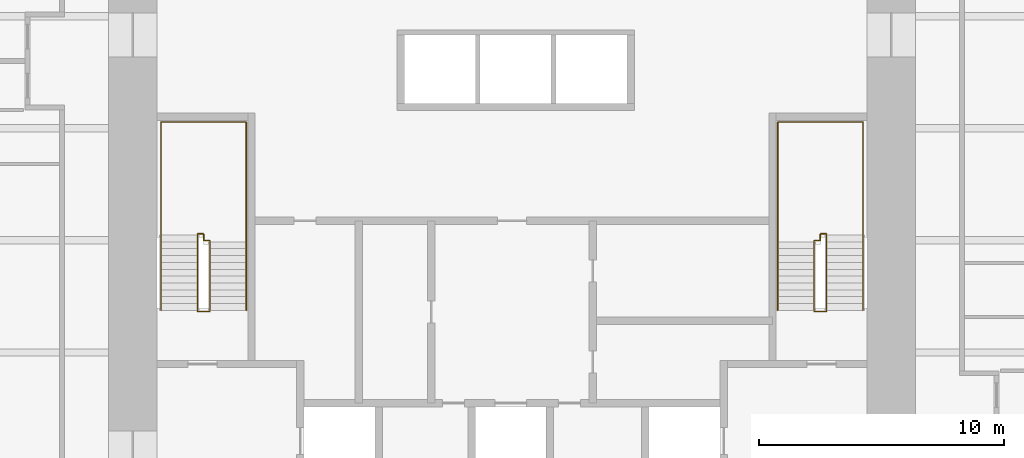
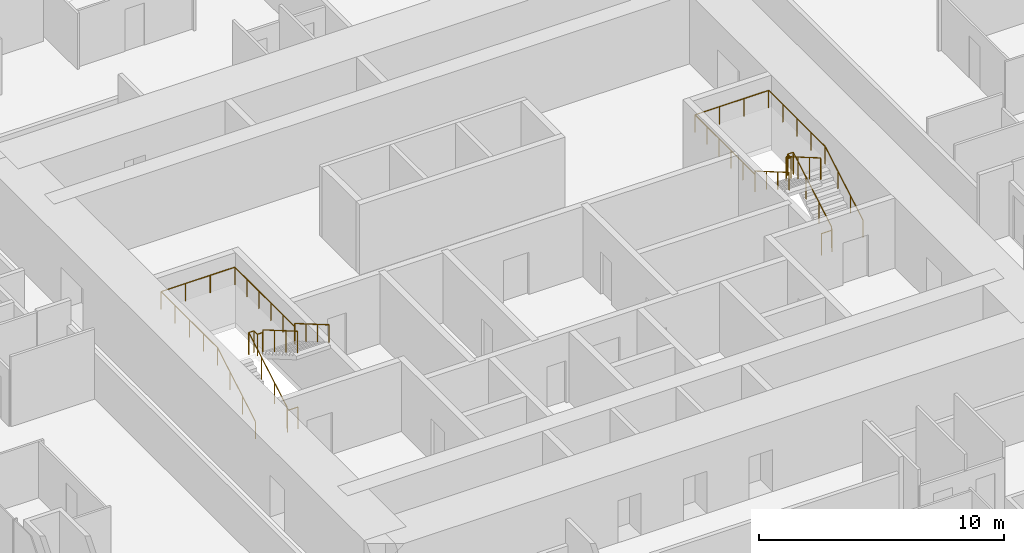
# One storey, part 11 of 11: 4 railings.
"""IFC4 building model written with IfcOpenShell, lengths in metres."""

from ifc_helpers import new_model, si_unit, direction, frame, origin, origin_2d, place, context, subcontext, project, spatial, circle, extrude, material, type_object, element, save


model = new_model("IFC4")

# Units and contexts
model_context = context("Model", 3, precision=1e-05, world=origin(), true_north=direction((0.0, 1.0)))
body_context = subcontext(model_context, "Body", "Model", "MODEL_VIEW")
ifc_project = project(units=[si_unit("LENGTHUNIT", "METRE"), si_unit("AREAUNIT", "SQUARE_METRE"), si_unit("VOLUMEUNIT", "CUBIC_METRE"), si_unit("PLANEANGLEUNIT", "RADIAN"), si_unit("MASSUNIT", "GRAM", prefix="KILO")], contexts=[model_context])

# Site, building, storey
site_placement = place(None, origin())
site = spatial("IfcSite", under=ifc_project, at=site_placement, CompositionType="ELEMENT")
building_placement = place(site_placement, origin())
building = spatial("IfcBuilding", under=site, at=building_placement, Name="Khuree Lantern Residences", CompositionType="ELEMENT")
storey_placement = place(building_placement, frame((0.0, 0.0, 174.75)))
storey = spatial("IfcBuildingStorey", under=building, at=storey_placement, Name="L44", CompositionType="ELEMENT", Elevation=174.75)

# Railings
ifc_material = material(Name="Steel S355", Category="steel")
railing_type_1 = type_object("IfcRailingType", Name="STAIR GUARD G1 1100", PredefinedType="GUARDRAIL", material=ifc_material)
railing_1_placement = place(storey_placement, frame((-12.35009765625, -2.909912109375, 0.0)))
element("IfcRailing", 1, at=railing_1_placement, inside=storey, type_object=railing_type_1, Name="Stair ST1 guard", PredefinedType="GUARDRAIL", context=body_context, shape_type="SweptSolid", body=[
    extrude(circle(Radius=0.02392578125, at=origin_2d()), frame((0.0, 0.0, 1.076171875), z_axis=(-1.0, 0.0, 0.0), x_axis=(0.0, -1.0, 0.0)), (0.0, 0.0, 1.0), 0.5),
    extrude(circle(Radius=0.02392578125, at=origin_2d()), frame((-0.5, 0.0, 1.076171875), z_axis=(0.0, 0.292073035251, 0.95639601739), x_axis=(-1.0, 0.0, 0.0)), (0.0, 0.0, 1.0), 0.17041015625),
    extrude(circle(Radius=0.02392578125, at=origin_2d()), frame((-0.5, 0.0498046875, 1.2392578125), z_axis=(0.0, 0.864176135923, 0.503189433615), x_axis=(-1.0, 0.0, 0.0)), (0.0, 0.0, 1.0), 3.564208984375),
    extrude(circle(Radius=0.02392578125, at=origin_2d()), frame((-0.5, 3.1298828125, 3.03271484375), z_axis=(0.0, 1.0, 0.0), x_axis=(-1.0, 0.0, 0.0)), (0.0, 0.0, 1.0), 0.050048828125),
    extrude(circle(Radius=0.02392578125, at=origin_2d()), frame((-0.5, 3.179931640625, 3.03271484375), z_axis=(1.0, 0.0, 0.0), x_axis=(0.0, 1.0, 0.0)), (0.0, 0.0, 1.0), 0.25),
    extrude(circle(Radius=0.02392578125, at=origin_2d()), frame((-0.25, 3.179931640625, 3.03271484375), z_axis=(0.0, -1.0, 0.0), x_axis=(1.0, 0.0, 0.0)), (0.0, 0.0, 1.0), 0.280029296875),
    extrude(circle(Radius=0.02392578125, at=origin_2d()), frame((-0.25, 2.89990234375, 3.03271484375), z_axis=(1.0, 0.0, 0.0), x_axis=(0.0, 1.0, 0.0)), (0.0, 0.0, 1.0), 0.25),
    extrude(circle(Radius=0.02392578125, at=origin_2d()), frame((0.0, 2.89990234375, 3.03271484375), z_axis=(0.0, -0.293381807449, 0.955995353053), x_axis=(1.0, 0.0, 0.0)), (0.0, 0.0, 1.0), 0.170654296875),
    extrude(circle(Radius=0.02392578125, at=origin_2d()), frame((0.0, 2.849853515625, 3.19580078125), z_axis=(0.0, -0.864180358799, 0.503182181189), x_axis=(1.0, 0.0, 0.0)), (0.0, 0.0, 1.0), 3.240234375),
    extrude(circle(Radius=0.02099609375, at=origin_2d()), origin(), (0.0, 0.0, 1.0), 1.052001953125),
    extrude(circle(Radius=0.02099609375, at=origin_2d()), frame((-0.5, 0.0, 0.0)), (0.0, 0.0, 1.0), 1.052001953125),
    extrude(circle(Radius=0.02099609375, at=origin_2d()), frame((-0.5, 0.0498046875, 0.1630859375)), (0.0, 0.0, 1.0), 1.052001953125),
    extrude(circle(Radius=0.02099609375, at=origin_2d()), frame((-0.5, 1.076416015625, 0.760986328125)), (0.0, 0.0, 1.0), 1.052001953125),
    extrude(circle(Radius=0.02099609375, at=origin_2d()), frame((-0.5, 2.103271484375, 1.358642578125)), (0.0, 0.0, 1.0), 1.052001953125),
    extrude(circle(Radius=0.02099609375, at=origin_2d()), frame((-0.5, 3.1298828125, 1.95654296875)), (0.0, 0.0, 1.0), 1.052001953125),
    extrude(circle(Radius=0.02099609375, at=origin_2d()), frame((-0.5, 3.179931640625, 1.95654296875)), (0.0, 0.0, 1.0), 1.052001953125),
    extrude(circle(Radius=0.02099609375, at=origin_2d()), frame((-0.25, 3.179931640625, 1.95654296875)), (0.0, 0.0, 1.0), 1.052001953125),
    extrude(circle(Radius=0.02099609375, at=origin_2d()), frame((-0.25, 2.89990234375, 1.95654296875)), (0.0, 0.0, 1.0), 1.052001953125),
    extrude(circle(Radius=0.02099609375, at=origin_2d()), frame((0.0, 2.89990234375, 1.95654296875)), (0.0, 0.0, 1.0), 1.052001953125),
    extrude(circle(Radius=0.02099609375, at=origin_2d()), frame((0.0, 2.849853515625, 2.11962890625)), (0.0, 0.0, 1.0), 1.052001953125),
    extrude(circle(Radius=0.02099609375, at=origin_2d()), frame((0.0, 1.91650390625, 2.6630859375)), (0.0, 0.0, 1.0), 1.052001953125),
    extrude(circle(Radius=0.02099609375, at=origin_2d()), frame((0.0, 0.983154296875, 3.20654296875)), (0.0, 0.0, 1.0), 1.052001953125),
    extrude(circle(Radius=0.02099609375, at=origin_2d()), frame((0.0, 0.0498046875, 3.75)), (0.0, 0.0, 1.0), 1.052001953125),
])
railing_2_placement = place(storey_placement, frame((12.35009765625, -2.909912109375, 0.0)))
element("IfcRailing", 2, at=railing_2_placement, inside=storey, type_object=railing_type_1, Name="Stair ST2 guard", PredefinedType="GUARDRAIL", context=body_context, shape_type="SweptSolid", body=[
    extrude(circle(Radius=0.02392578125, at=origin_2d()), frame((0.0, 0.0, 1.076171875), z_axis=(1.0, 0.0, 0.0), x_axis=(0.0, 1.0, 0.0)), (0.0, 0.0, 1.0), 0.5),
    extrude(circle(Radius=0.02392578125, at=origin_2d()), frame((0.5, 0.0, 1.076171875), z_axis=(0.0, 0.292073035251, 0.95639601739), x_axis=(-1.0, 0.0, 0.0)), (0.0, 0.0, 1.0), 0.17041015625),
    extrude(circle(Radius=0.02392578125, at=origin_2d()), frame((0.5, 0.0498046875, 1.2392578125), z_axis=(0.0, 0.864176135923, 0.503189433615), x_axis=(-1.0, 0.0, 0.0)), (0.0, 0.0, 1.0), 3.564208984375),
    extrude(circle(Radius=0.02392578125, at=origin_2d()), frame((0.5, 3.1298828125, 3.03271484375), z_axis=(0.0, 1.0, 0.0), x_axis=(-1.0, 0.0, 0.0)), (0.0, 0.0, 1.0), 0.050048828125),
    extrude(circle(Radius=0.02392578125, at=origin_2d()), frame((0.5, 3.179931640625, 3.03271484375), z_axis=(-1.0, 0.0, 0.0), x_axis=(0.0, -1.0, 0.0)), (0.0, 0.0, 1.0), 0.25),
    extrude(circle(Radius=0.02392578125, at=origin_2d()), frame((0.25, 3.179931640625, 3.03271484375), z_axis=(0.0, -1.0, 0.0), x_axis=(1.0, 0.0, 0.0)), (0.0, 0.0, 1.0), 0.280029296875),
    extrude(circle(Radius=0.02392578125, at=origin_2d()), frame((0.25, 2.89990234375, 3.03271484375), z_axis=(-1.0, 0.0, 0.0), x_axis=(0.0, -1.0, 0.0)), (0.0, 0.0, 1.0), 0.25),
    extrude(circle(Radius=0.02392578125, at=origin_2d()), frame((0.0, 2.89990234375, 3.03271484375), z_axis=(0.0, -0.293381807449, 0.955995353053), x_axis=(1.0, 0.0, 0.0)), (0.0, 0.0, 1.0), 0.170654296875),
    extrude(circle(Radius=0.02392578125, at=origin_2d()), frame((0.0, 2.849853515625, 3.19580078125), z_axis=(0.0, -0.864180358799, 0.503182181189), x_axis=(1.0, 0.0, 0.0)), (0.0, 0.0, 1.0), 3.240234375),
    extrude(circle(Radius=0.02099609375, at=origin_2d()), origin(), (0.0, 0.0, 1.0), 1.052001953125),
    extrude(circle(Radius=0.02099609375, at=origin_2d()), frame((0.5, 0.0, 0.0)), (0.0, 0.0, 1.0), 1.052001953125),
    extrude(circle(Radius=0.02099609375, at=origin_2d()), frame((0.5, 0.0498046875, 0.1630859375)), (0.0, 0.0, 1.0), 1.052001953125),
    extrude(circle(Radius=0.02099609375, at=origin_2d()), frame((0.5, 1.076416015625, 0.760986328125)), (0.0, 0.0, 1.0), 1.052001953125),
    extrude(circle(Radius=0.02099609375, at=origin_2d()), frame((0.5, 2.103271484375, 1.358642578125)), (0.0, 0.0, 1.0), 1.052001953125),
    extrude(circle(Radius=0.02099609375, at=origin_2d()), frame((0.5, 3.1298828125, 1.95654296875)), (0.0, 0.0, 1.0), 1.052001953125),
    extrude(circle(Radius=0.02099609375, at=origin_2d()), frame((0.5, 3.179931640625, 1.95654296875)), (0.0, 0.0, 1.0), 1.052001953125),
    extrude(circle(Radius=0.02099609375, at=origin_2d()), frame((0.25, 3.179931640625, 1.95654296875)), (0.0, 0.0, 1.0), 1.052001953125),
    extrude(circle(Radius=0.02099609375, at=origin_2d()), frame((0.25, 2.89990234375, 1.95654296875)), (0.0, 0.0, 1.0), 1.052001953125),
    extrude(circle(Radius=0.02099609375, at=origin_2d()), frame((0.0, 2.89990234375, 1.95654296875)), (0.0, 0.0, 1.0), 1.052001953125),
    extrude(circle(Radius=0.02099609375, at=origin_2d()), frame((0.0, 2.849853515625, 2.11962890625)), (0.0, 0.0, 1.0), 1.052001953125),
    extrude(circle(Radius=0.02099609375, at=origin_2d()), frame((0.0, 1.91650390625, 2.6630859375)), (0.0, 0.0, 1.0), 1.052001953125),
    extrude(circle(Radius=0.02099609375, at=origin_2d()), frame((0.0, 0.983154296875, 3.20654296875)), (0.0, 0.0, 1.0), 1.052001953125),
    extrude(circle(Radius=0.02099609375, at=origin_2d()), frame((0.0, 0.0498046875, 3.75)), (0.0, 0.0, 1.0), 1.052001953125),
])
railing_type_2 = type_object("IfcRailingType", Name="STAIR HANDRAIL H1 900", PredefinedType="HANDRAIL", material=ifc_material)
railing_3_placement = place(storey_placement, frame((-14.340087890625, -2.860107421875, 0.1630859375)))
element("IfcRailing", 3, at=railing_3_placement, inside=storey, type_object=railing_type_2, Name="Stair ST1 handrail", PredefinedType="HANDRAIL", context=body_context, shape_type="SweptSolid", body=[
    extrude(circle(Radius=0.02392578125, at=origin_2d()), frame((0.0, 0.0, 0.8759765625), z_axis=(0.0, 0.864176135923, 0.503189433615), x_axis=(-1.0, 0.0, 0.0)), (0.0, 0.0, 1.0), 3.564208984375),
    extrude(circle(Radius=0.02392578125, at=origin_2d()), frame((0.0, 3.080078125, 2.66943359375), z_axis=(0.0, 1.0, 0.0), x_axis=(-1.0, 0.0, 0.0)), (0.0, 0.0, 1.0), 4.6201171875),
    extrude(circle(Radius=0.02392578125, at=origin_2d()), frame((0.0, 7.7001953125, 2.66943359375), z_axis=(1.0, 0.0, 0.0), x_axis=(0.0, 1.0, 0.0)), (0.0, 0.0, 1.0), 3.47998046875),
    extrude(circle(Radius=0.02392578125, at=origin_2d()), frame((3.47998046875, 7.7001953125, 2.66943359375), z_axis=(0.0, -1.0, 0.0), x_axis=(1.0, 0.0, 0.0)), (0.0, 0.0, 1.0), 4.900146484375),
    extrude(circle(Radius=0.02392578125, at=origin_2d()), frame((3.47998046875, 2.800048828125, 2.66943359375), z_axis=(0.0, 0.0, 1.0), x_axis=(1.0, 0.0, 0.0)), (0.0, 0.0, 1.0), 0.1630859375),
    extrude(circle(Radius=0.02392578125, at=origin_2d()), frame((3.47998046875, 2.800048828125, 2.83251953125), z_axis=(0.0, -0.864180358799, 0.503182181189), x_axis=(1.0, 0.0, 0.0)), (0.0, 0.0, 1.0), 3.240234375),
    extrude(circle(Radius=0.02099609375, at=origin_2d()), origin(), (0.0, 0.0, 1.0), 0.851806640625),
    extrude(circle(Radius=0.02099609375, at=origin_2d()), frame((0.0, 1.026611328125, 0.597900390625)), (0.0, 0.0, 1.0), 0.851806640625),
    extrude(circle(Radius=0.02099609375, at=origin_2d()), frame((0.0, 2.053466796875, 1.195556640625)), (0.0, 0.0, 1.0), 0.851806640625),
    extrude(circle(Radius=0.02099609375, at=origin_2d()), frame((0.0, 3.080078125, 1.79345703125)), (0.0, 0.0, 1.0), 0.851806640625),
    extrude(circle(Radius=0.02099609375, at=origin_2d()), frame((0.0, 4.235107421875, 1.79345703125)), (0.0, 0.0, 1.0), 0.851806640625),
    extrude(circle(Radius=0.02099609375, at=origin_2d()), frame((0.0, 5.39013671875, 1.79345703125)), (0.0, 0.0, 1.0), 0.851806640625),
    extrude(circle(Radius=0.02099609375, at=origin_2d()), frame((0.0, 6.545166015625, 1.79345703125)), (0.0, 0.0, 1.0), 0.851806640625),
    extrude(circle(Radius=0.02099609375, at=origin_2d()), frame((0.0, 7.7001953125, 1.79345703125)), (0.0, 0.0, 1.0), 0.851806640625),
    extrude(circle(Radius=0.02099609375, at=origin_2d()), frame((1.159912109375, 7.7001953125, 1.79345703125)), (0.0, 0.0, 1.0), 0.851806640625),
    extrude(circle(Radius=0.02099609375, at=origin_2d()), frame((2.320068359375, 7.7001953125, 1.79345703125)), (0.0, 0.0, 1.0), 0.851806640625),
    extrude(circle(Radius=0.02099609375, at=origin_2d()), frame((3.47998046875, 7.7001953125, 1.79345703125)), (0.0, 0.0, 1.0), 0.851806640625),
    extrude(circle(Radius=0.02099609375, at=origin_2d()), frame((3.47998046875, 6.72021484375, 1.79345703125)), (0.0, 0.0, 1.0), 0.851806640625),
    extrude(circle(Radius=0.02099609375, at=origin_2d()), frame((3.47998046875, 5.740234375, 1.79345703125)), (0.0, 0.0, 1.0), 0.851806640625),
    extrude(circle(Radius=0.02099609375, at=origin_2d()), frame((3.47998046875, 4.760009765625, 1.79345703125)), (0.0, 0.0, 1.0), 0.851806640625),
    extrude(circle(Radius=0.02099609375, at=origin_2d()), frame((3.47998046875, 3.780029296875, 1.79345703125)), (0.0, 0.0, 1.0), 0.851806640625),
    extrude(circle(Radius=0.02099609375, at=origin_2d()), frame((3.47998046875, 2.800048828125, 1.79345703125)), (0.0, 0.0, 1.0), 0.851806640625),
    extrude(circle(Radius=0.02099609375, at=origin_2d()), frame((3.47998046875, 2.800048828125, 1.95654296875)), (0.0, 0.0, 1.0), 0.851806640625),
    extrude(circle(Radius=0.02099609375, at=origin_2d()), frame((3.47998046875, 1.86669921875, 2.5)), (0.0, 0.0, 1.0), 0.851806640625),
    extrude(circle(Radius=0.02099609375, at=origin_2d()), frame((3.47998046875, 0.933349609375, 3.04345703125)), (0.0, 0.0, 1.0), 0.851806640625),
    extrude(circle(Radius=0.02099609375, at=origin_2d()), frame((3.47998046875, 0.0, 3.5869140625)), (0.0, 0.0, 1.0), 0.851806640625),
])
railing_4_placement = place(storey_placement, frame((14.340087890625, -2.860107421875, 0.1630859375)))
element("IfcRailing", 4, at=railing_4_placement, inside=storey, type_object=railing_type_2, Name="Stair ST2 handrail", PredefinedType="HANDRAIL", context=body_context, shape_type="SweptSolid", body=[
    extrude(circle(Radius=0.02392578125, at=origin_2d()), frame((0.0, 0.0, 0.8759765625), z_axis=(0.0, 0.864176135923, 0.503189433615), x_axis=(-1.0, 0.0, 0.0)), (0.0, 0.0, 1.0), 3.564208984375),
    extrude(circle(Radius=0.02392578125, at=origin_2d()), frame((0.0, 3.080078125, 2.66943359375), z_axis=(0.0, 1.0, 0.0), x_axis=(-1.0, 0.0, 0.0)), (0.0, 0.0, 1.0), 4.6201171875),
    extrude(circle(Radius=0.02392578125, at=origin_2d()), frame((0.0, 7.7001953125, 2.66943359375), z_axis=(-1.0, 0.0, 0.0), x_axis=(0.0, -1.0, 0.0)), (0.0, 0.0, 1.0), 3.47998046875),
    extrude(circle(Radius=0.02392578125, at=origin_2d()), frame((-3.47998046875, 7.7001953125, 2.66943359375), z_axis=(0.0, -1.0, 0.0), x_axis=(1.0, 0.0, 0.0)), (0.0, 0.0, 1.0), 4.900146484375),
    extrude(circle(Radius=0.02392578125, at=origin_2d()), frame((-3.47998046875, 2.800048828125, 2.66943359375), z_axis=(0.0, 0.0, 1.0), x_axis=(1.0, 0.0, 0.0)), (0.0, 0.0, 1.0), 0.1630859375),
    extrude(circle(Radius=0.02392578125, at=origin_2d()), frame((-3.47998046875, 2.800048828125, 2.83251953125), z_axis=(0.0, -0.864180358799, 0.503182181189), x_axis=(1.0, 0.0, 0.0)), (0.0, 0.0, 1.0), 3.240234375),
    extrude(circle(Radius=0.02099609375, at=origin_2d()), origin(), (0.0, 0.0, 1.0), 0.851806640625),
    extrude(circle(Radius=0.02099609375, at=origin_2d()), frame((0.0, 1.026611328125, 0.597900390625)), (0.0, 0.0, 1.0), 0.851806640625),
    extrude(circle(Radius=0.02099609375, at=origin_2d()), frame((0.0, 2.053466796875, 1.195556640625)), (0.0, 0.0, 1.0), 0.851806640625),
    extrude(circle(Radius=0.02099609375, at=origin_2d()), frame((0.0, 3.080078125, 1.79345703125)), (0.0, 0.0, 1.0), 0.851806640625),
    extrude(circle(Radius=0.02099609375, at=origin_2d()), frame((0.0, 4.235107421875, 1.79345703125)), (0.0, 0.0, 1.0), 0.851806640625),
    extrude(circle(Radius=0.02099609375, at=origin_2d()), frame((0.0, 5.39013671875, 1.79345703125)), (0.0, 0.0, 1.0), 0.851806640625),
    extrude(circle(Radius=0.02099609375, at=origin_2d()), frame((0.0, 6.545166015625, 1.79345703125)), (0.0, 0.0, 1.0), 0.851806640625),
    extrude(circle(Radius=0.02099609375, at=origin_2d()), frame((0.0, 7.7001953125, 1.79345703125)), (0.0, 0.0, 1.0), 0.851806640625),
    extrude(circle(Radius=0.02099609375, at=origin_2d()), frame((-1.159912109375, 7.7001953125, 1.79345703125)), (0.0, 0.0, 1.0), 0.851806640625),
    extrude(circle(Radius=0.02099609375, at=origin_2d()), frame((-2.320068359375, 7.7001953125, 1.79345703125)), (0.0, 0.0, 1.0), 0.851806640625),
    extrude(circle(Radius=0.02099609375, at=origin_2d()), frame((-3.47998046875, 7.7001953125, 1.79345703125)), (0.0, 0.0, 1.0), 0.851806640625),
    extrude(circle(Radius=0.02099609375, at=origin_2d()), frame((-3.47998046875, 6.72021484375, 1.79345703125)), (0.0, 0.0, 1.0), 0.851806640625),
    extrude(circle(Radius=0.02099609375, at=origin_2d()), frame((-3.47998046875, 5.740234375, 1.79345703125)), (0.0, 0.0, 1.0), 0.851806640625),
    extrude(circle(Radius=0.02099609375, at=origin_2d()), frame((-3.47998046875, 4.760009765625, 1.79345703125)), (0.0, 0.0, 1.0), 0.851806640625),
    extrude(circle(Radius=0.02099609375, at=origin_2d()), frame((-3.47998046875, 3.780029296875, 1.79345703125)), (0.0, 0.0, 1.0), 0.851806640625),
    extrude(circle(Radius=0.02099609375, at=origin_2d()), frame((-3.47998046875, 2.800048828125, 1.79345703125)), (0.0, 0.0, 1.0), 0.851806640625),
    extrude(circle(Radius=0.02099609375, at=origin_2d()), frame((-3.47998046875, 2.800048828125, 1.95654296875)), (0.0, 0.0, 1.0), 0.851806640625),
    extrude(circle(Radius=0.02099609375, at=origin_2d()), frame((-3.47998046875, 1.86669921875, 2.5)), (0.0, 0.0, 1.0), 0.851806640625),
    extrude(circle(Radius=0.02099609375, at=origin_2d()), frame((-3.47998046875, 0.933349609375, 3.04345703125)), (0.0, 0.0, 1.0), 0.851806640625),
    extrude(circle(Radius=0.02099609375, at=origin_2d()), frame((-3.47998046875, 0.0, 3.5869140625)), (0.0, 0.0, 1.0), 0.851806640625),
])

save(model, "model.ifc")
